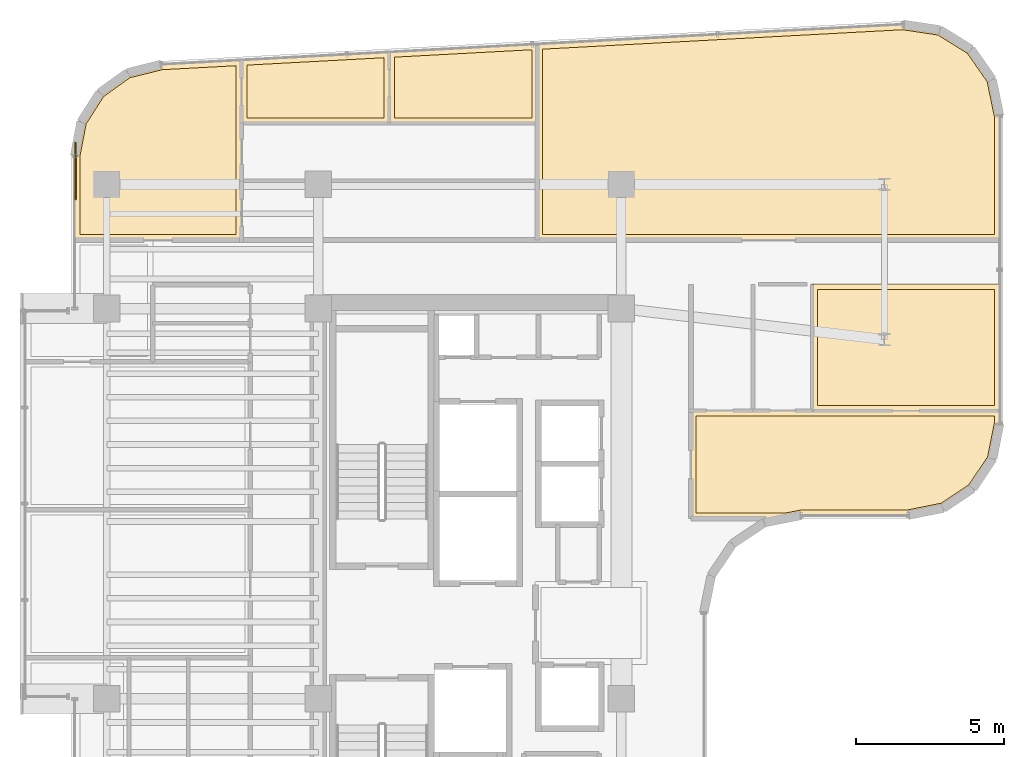
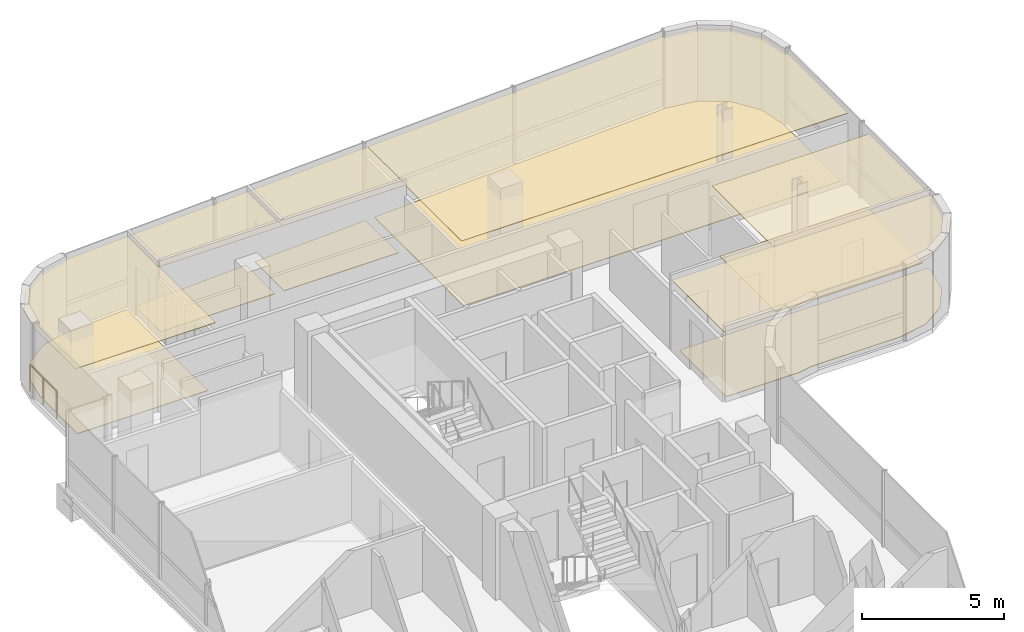
# One storey, part 22 of 22: 12 coverings, 1 railing.
"""IFC4 building model written with IfcOpenShell, lengths in metres."""

import ifcopenshell
import ifcopenshell.guid

model = None  # the IFC model being written
_history = None  # IfcOwnerHistory: only IFC2X3 demands one
_inside = {}  # id of a spatial element -> (the spatial element, [elements in it])
_under = {}  # id of a project, library or spatial element -> (it, [spatial elements below it])
_declared = {}  # id of a project -> (the project, [libraries it declares])
_typed = {}  # id of a type object -> (the type object, [elements of that type])
_made_of = {}  # id of a material, layer set ... -> (it, [elements and type objects made of it])


def new_model(schema):
    """Start an empty IFC model of exactly this schema.

    Asked for "IFC4X3", IfcOpenShell would pick the latest addendum, in which some entities
    have other attributes; the version numbers below select the first issue.
    IFC2X3 requires an IfcOwnerHistory on every rooted entity: one is made here for all.
    """
    global model, _history
    if schema == "IFC4X3":
        model = ifcopenshell.file(schema_version=(4, 3, 0, 0))
    else:
        model = ifcopenshell.file(schema=schema)
    _inside.clear()
    _under.clear()
    _declared.clear()
    _typed.clear()
    _made_of.clear()
    _history = None
    if model.schema == "IFC2X3":
        org = make("IfcOrganization", Name="unknown")
        user = make(
            "IfcPersonAndOrganization",
            ThePerson=make("IfcPerson", FamilyName="unknown"),
            TheOrganization=org,
        )
        app = make(
            "IfcApplication",
            ApplicationDeveloper=org,
            Version="unknown",
            ApplicationFullName="unknown",
            ApplicationIdentifier="unknown",
        )
        _history = make(
            "IfcOwnerHistory",
            OwningUser=user,
            OwningApplication=app,
            ChangeAction="ADDED",
            CreationDate=0,
        )
    return model


def make(cls, **values):
    """One entity of the class cls with the attributes given. An attribute that is None is left unset."""
    return model.create_entity(
        cls, **{name: value for name, value in values.items() if value is not None}
    )


def rooted(cls, **values):
    """An entity with a GlobalId (a new one), such as an element, a storey or a relation."""
    return make(cls, GlobalId=ifcopenshell.guid.new(), OwnerHistory=_history, **values)


def si_unit(unit_type, name, prefix=None):
    """IfcSIUnit, for example si_unit("LENGTHUNIT", "METRE", prefix="MILLI")."""
    return make("IfcSIUnit", UnitType=unit_type, Prefix=prefix, Name=name)


def assignment(units):
    """IfcUnitAssignment: the units of a project."""
    return None if units is None else make("IfcUnitAssignment", Units=units)


def point(xyz):
    """IfcCartesianPoint."""
    return None if xyz is None else make("IfcCartesianPoint", Coordinates=xyz)


def direction(xyz):
    """IfcDirection."""
    return None if xyz is None else make("IfcDirection", DirectionRatios=xyz)


def frame(location, z_axis=None, x_axis=None):
    """IfcAxis2Placement3D, a coordinate frame: its origin and axes. An axis left out is left unset."""
    return make(
        "IfcAxis2Placement3D",
        Location=point(location),
        Axis=direction(z_axis),
        RefDirection=direction(x_axis),
    )


def frame_2d(location, x_axis=None):
    """IfcAxis2Placement2D, a coordinate frame in the plane: its origin and x axis."""
    return make(
        "IfcAxis2Placement2D", Location=point(location), RefDirection=direction(x_axis)
    )


def origin():
    """The frame at (0, 0, 0) with its axes left unset."""
    return frame((0.0, 0.0, 0.0))


def origin_2d():
    """The frame at (0, 0) in the plane with its x axis left unset."""
    return frame_2d((0.0, 0.0))


def place(relative_to, where):
    """IfcLocalPlacement: puts the frame where relative to a parent placement (None: the world)."""
    return make(
        "IfcLocalPlacement", PlacementRelTo=relative_to, RelativePlacement=where
    )


def context(
    kind, dimensions, precision=None, world=None, true_north=None, identifier=None
):
    """IfcGeometricRepresentationContext, for example the 3D "Model" context."""
    return make(
        "IfcGeometricRepresentationContext",
        ContextIdentifier=identifier,
        ContextType=kind,
        CoordinateSpaceDimension=dimensions,
        Precision=precision,
        WorldCoordinateSystem=world,
        TrueNorth=true_north,
    )


def subcontext(parent, identifier, kind, view, scale=None):
    """IfcGeometricRepresentationSubContext, for example "Body" below "Model"."""
    return make(
        "IfcGeometricRepresentationSubContext",
        ContextIdentifier=identifier,
        ContextType=kind,
        ParentContext=parent,
        TargetScale=scale,
        TargetView=view,
    )


def project(units=None, contexts=None):
    """IfcProject with its units and contexts."""
    return rooted(
        "IfcProject",
        Name="project",
        RepresentationContexts=contexts,
        UnitsInContext=assignment(units),
    )


def spatial(cls, under=None, at=None, **own):
    """A site, building, storey or space (cls), placed at a placement, below another one or the project."""
    s = rooted(cls, ObjectPlacement=at, **own)
    if under is not None:
        _under.setdefault(under.id(), (under, []))[1].append(s)
    return s


def polyline(points):
    """IfcPolyline through the points."""
    return make("IfcPolyline", Points=[point(p) for p in points])


def profile(cls, at=None, kind="AREA", **sizes):
    """A parametric profile (cls). Its sizes go by their IFC names, for example OverallWidth=200.0."""
    return make(cls, ProfileType=kind, Position=at, **sizes)


def circle(**sizes):
    """IfcCircleProfileDef."""
    return profile("IfcCircleProfileDef", **sizes)


def outline(outer, holes=None, kind="AREA"):
    """IfcArbitraryClosedProfileDef: a profile drawn as a closed curve; with holes, ...WithVoids."""
    if holes is None:
        return make("IfcArbitraryClosedProfileDef", ProfileType=kind, OuterCurve=outer)
    return make(
        "IfcArbitraryProfileDefWithVoids",
        ProfileType=kind,
        OuterCurve=outer,
        InnerCurves=holes,
    )


def extrude(swept, where, along, depth):
    """IfcExtrudedAreaSolid: the profile swept, set in the frame where, extruded along a direction by depth."""
    return make(
        "IfcExtrudedAreaSolid",
        SweptArea=swept,
        Position=where,
        ExtrudedDirection=direction(along),
        Depth=depth,
    )


def shape(context_of_items, identifier, shape_type, items):
    """IfcShapeRepresentation: the items that make up one representation, for example the "Body"."""
    return make(
        "IfcShapeRepresentation",
        ContextOfItems=context_of_items,
        RepresentationIdentifier=identifier,
        RepresentationType=shape_type,
        Items=items,
    )


def material(Name=None, Category=None):
    """IfcMaterial."""
    return make("IfcMaterial", Name=Name, Category=Category)


def layer(
    of_material, thickness, ventilated=None, Name=None, Category=None, Priority=None
):
    """IfcMaterialLayer: one layer of a wall or slab, of a material (None: an air gap)."""
    return make(
        "IfcMaterialLayer",
        Material=of_material,
        LayerThickness=thickness,
        IsVentilated=ventilated,
        Name=Name,
        Category=Category,
        Priority=Priority,
    )


def layer_set(layers, Name=None):
    """IfcMaterialLayerSet."""
    return make("IfcMaterialLayerSet", MaterialLayers=layers, LayerSetName=Name)


def made_of(thing, what):
    """Note that an element or type object is made of a material, layer set ...; save() writes the relation."""
    if what is not None:
        _made_of.setdefault(what.id(), (what, []))[1].append(thing)
    return thing


def type_object(cls, material=None, **own):
    """A type object (cls), such as IfcWallType, which elements share."""
    return made_of(rooted(cls, **own), material)


def element(
    cls,
    number,
    at=None,
    inside=None,
    cuts=None,
    type_object=None,
    material=None,
    context=None,
    identifier="Body",
    shape_type=None,
    held_by="IfcProductDefinitionShape",
    body=None,
    shapes=None,
    **own,
):
    """One element of the class cls, such as IfcWall. Its Tag is "e" and its number.

    at: its placement. inside: the storey or other place that contains it. cuts: it is an
    opening in that element (IfcRelVoidsElement). A single representation is given by context,
    identifier, shape_type and body (its items); several are given by shapes. held_by: the class
    of the entity that holds the representations. save() writes the other relations.
    """
    e = rooted(cls, Tag="e%d" % number, ObjectPlacement=at, **own)
    if body is not None:
        shapes = [shape(context, identifier, shape_type, body)]
    if shapes is not None:
        e.Representation = make(held_by, Representations=shapes)
    if inside is not None:
        _inside.setdefault(inside.id(), (inside, []))[1].append(e)
    if cuts is not None:
        rooted(
            "IfcRelVoidsElement", RelatingBuildingElement=cuts, RelatedOpeningElement=e
        )
    if type_object is not None:
        _typed.setdefault(type_object.id(), (type_object, []))[1].append(e)
    return made_of(e, material)


def aggregate(whole, parts):
    """IfcRelAggregates: a whole, such as a stair, and the parts it consists of."""
    return rooted("IfcRelAggregates", RelatingObject=whole, RelatedObjects=parts)


def save(model, path):
    """Write the relations noted so far, then the file.

    IfcRelAggregates (storeys below a building ...), IfcRelContainedInSpatialStructure (elements
    in a storey), IfcRelDefinesByType, IfcRelAssociatesMaterial and IfcRelDeclares: one each for
    every whole, place, type object, material and project.
    """
    for whole, parts in _under.values():
        aggregate(whole, parts)
    for where, things in _inside.values():
        rooted(
            "IfcRelContainedInSpatialStructure",
            RelatedElements=things,
            RelatingStructure=where,
        )
    for kind, things in _typed.values():
        rooted("IfcRelDefinesByType", RelatedObjects=things, RelatingType=kind)
    for what, things in _made_of.values():
        rooted("IfcRelAssociatesMaterial", RelatedObjects=things, RelatingMaterial=what)
    for by, libraries in _declared.values():
        rooted("IfcRelDeclares", RelatingContext=by, RelatedDefinitions=libraries)
    model.write(path)


model = new_model("IFC4")

# Units and contexts
model_context = context("Model", 3, precision=1e-05, world=origin(), true_north=direction((0.0, 1.0)))
body_context = subcontext(model_context, "Body", "Model", "MODEL_VIEW")
ifc_project = project(units=[si_unit("LENGTHUNIT", "METRE"), si_unit("AREAUNIT", "SQUARE_METRE"), si_unit("VOLUMEUNIT", "CUBIC_METRE"), si_unit("PLANEANGLEUNIT", "RADIAN"), si_unit("MASSUNIT", "GRAM", prefix="KILO")], contexts=[model_context])

# Site, building, storey
site_placement = place(None, origin())
site = spatial("IfcSite", under=ifc_project, at=site_placement, CompositionType="ELEMENT")
building_placement = place(site_placement, origin())
building = spatial("IfcBuilding", under=site, at=building_placement, Name="Valdorenza Pilgrim Sanctuary Tower", CompositionType="ELEMENT")
storey_placement = place(building_placement, frame((0.0, 0.0, 209.0)))
storey = spatial("IfcBuildingStorey", under=building, at=storey_placement, Name="L53", CompositionType="ELEMENT", Elevation=209.0)

# Coverings
ifc_material_1 = material(Name="Micro-perforated acoustic mineral ceiling tile", Category="gypsum")
ifc_layer_1 = layer(ifc_material_1, 0.02490234375, Name="Micro-perforated acoustic mineral ceiling tile")
ifc_layer_set_1 = layer_set([ifc_layer_1], Name="Micro-perforated acoustic mineral ceiling tile")
covering_type_1 = type_object("IfcCoveringType", Name="COV-CLG-ACU", PredefinedType="CEILING", material=ifc_layer_set_1)
covering_1_placement = place(storey_placement, frame((0.0, 0.0, 2.9599609375)))
element("IfcCovering", 1, at=covering_1_placement, inside=storey, type_object=covering_type_1, Name="L53 North Grand Residence L53-N1 Bedroom 1 Acoustic Ceiling", PredefinedType="CEILING", context=body_context, shape_type="SweptSolid", body=[
    extrude(outline(polyline([(-25.24560546875, 16.85498046875), (-25.2470703125, 16.85498046875), (-25.24853515625, 16.855224609375), (-25.25, 16.855712890625), (-25.251220703125, 16.856201171875), (-25.252685546875, 16.856689453125), (-25.25390625, 16.857421875), (-25.255126953125, 16.8583984375), (-25.256103515625, 16.859375), (-25.257080078125, 16.860595703125), (-25.258056640625, 16.86181640625), (-25.2587890625, 16.86279296875), (-25.259521484375, 16.8642578125), (-25.260009765625, 16.865478515625), (-25.26025390625, 16.8671875), (-25.260498046875, 16.868408203125), (-25.260498046875, 16.8701171875), (-25.260498046875, 19.00048828125), (-25.260498046875, 19.001953125), (-25.26025390625, 19.00341796875), (-25.260009765625, 19.0048828125), (-25.259521484375, 19.00634765625), (-25.2587890625, 19.0078125), (-25.2578125, 19.009033203125), (-25.257080078125, 19.01025390625), (-25.256103515625, 19.01123046875), (-25.2548828125, 19.01220703125), (-25.253662109375, 19.01318359375), (-25.252197265625, 19.013916015625), (-25.250732421875, 19.014404296875), (-25.24951171875, 19.014892578125), (-25.247802734375, 19.01513671875), (-25.246337890625, 19.015380859375), (-20.24853515625, 19.28515625), (-20.247314453125, 19.28515625), (-20.24560546875, 19.284912109375), (-20.244384765625, 19.28466796875), (-20.242919921875, 19.2841796875), (-20.24169921875, 19.28369140625), (-20.240478515625, 19.283203125), (-20.239013671875, 19.282470703125), (-20.238037109375, 19.281494140625), (-20.237060546875, 19.280517578125), (-20.236083984375, 19.279296875), (-20.235107421875, 19.2783203125), (-20.234619140625, 19.277099609375), (-20.23388671875, 19.275634765625), (-20.2333984375, 19.2744140625), (-20.233154296875, 19.27294921875), (-20.23291015625, 19.271484375), (-20.23291015625, 19.27001953125), (-20.23291015625, 16.8701171875), (-20.23291015625, 16.868408203125), (-20.233154296875, 16.8671875), (-20.2333984375, 16.865478515625), (-20.23388671875, 16.8642578125), (-20.234619140625, 16.86279296875), (-20.2353515625, 16.86181640625), (-20.236083984375, 16.860595703125), (-20.2373046875, 16.859375), (-20.23828125, 16.8583984375), (-20.239501953125, 16.857421875), (-20.24072265625, 16.856689453125), (-20.2421875, 16.856201171875), (-20.243408203125, 16.855712890625), (-20.244873046875, 16.855224609375), (-20.246337890625, 16.85498046875), (-20.247802734375, 16.85498046875), (-25.24560546875, 16.85498046875)])), origin(), (0.0, 0.0, 1.0), 0.025146484375),
])
covering_2_placement = place(storey_placement, frame((0.0, 0.0, 2.9599609375)))
element("IfcCovering", 2, at=covering_2_placement, inside=storey, type_object=covering_type_1, Name="L53 North Grand Residence L53-N1 Bedroom 2 Acoustic Ceiling", PredefinedType="CEILING", context=body_context, shape_type="SweptSolid", body=[
    extrude(outline(polyline([(-20.2607421875, 19.27001953125), (-20.2607421875, 19.27099609375), (-20.260498046875, 19.2724609375), (-20.260498046875, 19.27392578125), (-20.260009765625, 19.275390625), (-20.259521484375, 19.276611328125), (-20.2587890625, 19.27783203125), (-20.2578125, 19.279052734375), (-20.2568359375, 19.2802734375), (-20.255859375, 19.28125), (-20.2548828125, 19.2822265625), (-20.253662109375, 19.283203125), (-20.252197265625, 19.28369140625), (-20.2509765625, 19.2841796875), (-20.24951171875, 19.284912109375), (-20.248046875, 19.28515625), (-20.24658203125, 19.28515625), (-15.251708984375, 19.5546875), (-15.250732421875, 19.5546875), (-15.25, 19.5546875), (-15.24853515625, 19.5546875), (-15.2470703125, 19.554443359375), (-15.24560546875, 19.55419921875), (-15.244384765625, 19.5537109375), (-15.242919921875, 19.552978515625), (-15.24169921875, 19.55224609375), (-15.240478515625, 19.551513671875), (-15.239501953125, 19.55029296875), (-15.23828125, 19.54931640625), (-15.237548828125, 19.548095703125), (-15.23681640625, 19.546875), (-15.236083984375, 19.54541015625), (-15.235595703125, 19.544189453125), (-15.2353515625, 19.542724609375), (-15.235107421875, 19.541259765625), (-15.235107421875, 19.539794921875), (-15.235107421875, 16.8701171875), (-15.235107421875, 16.868408203125), (-15.2353515625, 16.8671875), (-15.235595703125, 16.865478515625), (-15.236083984375, 16.8642578125), (-15.23681640625, 16.86279296875), (-15.237548828125, 16.86181640625), (-15.23828125, 16.860595703125), (-15.239501953125, 16.859375), (-15.240478515625, 16.8583984375), (-15.24169921875, 16.857421875), (-15.242919921875, 16.856689453125), (-15.244384765625, 16.856201171875), (-15.24560546875, 16.855712890625), (-15.2470703125, 16.855224609375), (-15.24853515625, 16.85498046875), (-15.25, 16.85498046875), (-20.245849609375, 16.85498046875), (-20.247314453125, 16.85498046875), (-20.248779296875, 16.855224609375), (-20.250244140625, 16.855712890625), (-20.25146484375, 16.856201171875), (-20.2529296875, 16.856689453125), (-20.254150390625, 16.857421875), (-20.25537109375, 16.8583984375), (-20.25634765625, 16.859375), (-20.25732421875, 16.860595703125), (-20.25830078125, 16.86181640625), (-20.259033203125, 16.86279296875), (-20.259765625, 16.8642578125), (-20.26025390625, 16.865478515625), (-20.260498046875, 16.8671875), (-20.2607421875, 16.868408203125), (-20.2607421875, 16.8701171875), (-20.2607421875, 19.27001953125), (-20.2607421875, 19.27001953125)])), origin(), (0.0, 0.0, 1.0), 0.025146484375),
])
covering_3_placement = place(storey_placement, frame((0.0, 0.0, 2.9599609375)))
element("IfcCovering", 3, at=covering_3_placement, inside=storey, type_object=covering_type_1, Name="L53 North Grand Residence L53-N1 Living Room Acoustic Ceiling", PredefinedType="CEILING", context=body_context, shape_type="SweptSolid", body=[
    extrude(outline(polyline([(-28.25537109375, 12.906982421875), (-30.889892578125, 12.906982421875), (-30.8916015625, 12.906982421875), (-30.892822265625, 12.9072265625), (-30.894287109375, 12.90771484375), (-30.895751953125, 12.908203125), (-30.897216796875, 12.90869140625), (-30.898193359375, 12.909423828125), (-30.8994140625, 12.910400390625), (-30.900634765625, 12.911376953125), (-30.901611328125, 12.91259765625), (-30.902587890625, 12.913818359375), (-30.9033203125, 12.914794921875), (-30.90380859375, 12.916259765625), (-30.904296875, 12.91748046875), (-30.90478515625, 12.919189453125), (-30.90478515625, 12.92041015625), (-30.905029296875, 12.922119140625), (-30.905029296875, 15.757568359375), (-30.90478515625, 15.759033203125), (-30.90478515625, 15.760498046875), (-30.683349609375, 16.9140625), (-30.68310546875, 16.915283203125), (-30.6826171875, 16.916748046875), (-30.681884765625, 16.918212890625), (-30.681396484375, 16.919189453125), (-30.05419921875, 17.89990234375), (-30.053466796875, 17.901123046875), (-30.052490234375, 17.90234375), (-30.051513671875, 17.9033203125), (-30.05029296875, 17.904052734375), (-29.104736328125, 18.5830078125), (-29.103515625, 18.583740234375), (-29.102294921875, 18.58447265625), (-29.10107421875, 18.5849609375), (-29.099609375, 18.58544921875), (-27.959716796875, 18.86865234375), (-27.958251953125, 18.868896484375), (-27.956787109375, 18.869140625), (-25.248291015625, 19.015380859375), (-25.2470703125, 19.015380859375), (-25.24560546875, 19.01513671875), (-25.244140625, 19.014892578125), (-25.242919921875, 19.014404296875), (-25.241455078125, 19.013916015625), (-25.240234375, 19.01318359375), (-25.239013671875, 19.012451171875), (-25.23779296875, 19.01171875), (-25.23681640625, 19.0107421875), (-25.23583984375, 19.009521484375), (-25.235107421875, 19.00830078125), (-25.234375, 19.007080078125), (-25.233642578125, 19.005859375), (-25.233154296875, 19.00439453125), (-25.23291015625, 19.003173828125), (-25.232666015625, 19.001708984375), (-25.232666015625, 19.000244140625), (-25.232666015625, 16.87548828125), (-25.232421875, 16.875), (-25.231689453125, 16.87353515625), (-25.231201171875, 16.872314453125), (-25.23095703125, 16.870849609375), (-25.230712890625, 16.869384765625), (-25.230712890625, 16.867919921875), (-25.230712890625, 12.919921875), (-25.230712890625, 12.91845703125), (-25.23095703125, 12.9169921875), (-25.231201171875, 12.91552734375), (-25.231689453125, 12.914306640625), (-25.232421875, 12.912841796875), (-25.233154296875, 12.91162109375), (-25.23388671875, 12.910400390625), (-25.235107421875, 12.909423828125), (-25.236083984375, 12.908447265625), (-25.2373046875, 12.907470703125), (-25.238525390625, 12.90673828125), (-25.239990234375, 12.906005859375), (-25.2412109375, 12.905517578125), (-25.24267578125, 12.9052734375), (-25.244140625, 12.905029296875), (-25.24560546875, 12.905029296875), (-28.248046875, 12.905029296875), (-28.24951171875, 12.905029296875), (-28.250732421875, 12.9052734375), (-28.252197265625, 12.905517578125), (-28.253662109375, 12.906005859375), (-28.2548828125, 12.90673828125), (-28.25537109375, 12.906982421875)])), origin(), (0.0, 0.0, 1.0), 0.025146484375),
])
covering_4_placement = place(storey_placement, frame((0.0, 0.0, 2.9599609375)))
element("IfcCovering", 4, at=covering_4_placement, inside=storey, type_object=covering_type_1, Name="L53 Sacred Archive Reading Library L53-N2 Acoustic Ceiling", PredefinedType="CEILING", context=body_context, shape_type="SweptSolid", body=[
    extrude(outline(polyline([(-15.262939453125, 14.918212890625), (-15.26318359375, 14.9189453125), (-15.26318359375, 14.92041015625), (-15.26318359375, 14.922119140625), (-15.26318359375, 14.923583984375), (-15.262939453125, 14.923828125), (-15.262939453125, 16.8662109375), (-15.26318359375, 16.866943359375), (-15.26318359375, 16.868408203125), (-15.26318359375, 16.8701171875), (-15.26318359375, 16.87158203125), (-15.262939453125, 16.871826171875), (-15.262939453125, 19.539794921875), (-15.262939453125, 19.539794921875), (-15.262939453125, 19.540771484375), (-15.2626953125, 19.5419921875), (-15.2626953125, 19.543701171875), (-15.26220703125, 19.544921875), (-15.26171875, 19.54638671875), (-15.260986328125, 19.547607421875), (-15.260009765625, 19.548828125), (-15.259033203125, 19.550048828125), (-15.258056640625, 19.551025390625), (-15.257080078125, 19.552001953125), (-15.255859375, 19.552734375), (-15.25439453125, 19.553466796875), (-15.253173828125, 19.55419921875), (-15.251708984375, 19.554443359375), (-15.250244140625, 19.5546875), (-15.248779296875, 19.554931640625), (-2.87841796875, 20.222412109375), (-2.876953125, 20.222412109375), (-2.87548828125, 20.222412109375), (-1.63232421875, 20.035400390625), (-1.630859375, 20.03515625), (-1.62939453125, 20.034912109375), (-1.628173828125, 20.0341796875), (-1.626708984375, 20.033447265625), (-0.568359375, 19.376708984375), (-0.567138671875, 19.3759765625), (-0.56591796875, 19.375), (-0.56494140625, 19.373779296875), (-0.56396484375, 19.372802734375), (0.148681640625, 18.351318359375), (0.1494140625, 18.349853515625), (0.150146484375, 18.3486328125), (0.150634765625, 18.34716796875), (0.151123046875, 18.345703125), (0.40478515625, 17.114501953125), (0.40478515625, 17.11279296875), (0.405029296875, 17.111328125), (0.405029296875, 12.919921875), (0.40478515625, 12.91845703125), (0.40478515625, 12.9169921875), (0.404296875, 12.91552734375), (0.40380859375, 12.914306640625), (0.4033203125, 12.912841796875), (0.402587890625, 12.91162109375), (0.401611328125, 12.910400390625), (0.400634765625, 12.909423828125), (0.3994140625, 12.908447265625), (0.398193359375, 12.907470703125), (0.397216796875, 12.90673828125), (0.395751953125, 12.906005859375), (0.394287109375, 12.905517578125), (0.392822265625, 12.9052734375), (0.3916015625, 12.905029296875), (0.389892578125, 12.905029296875), (-15.248046875, 12.905029296875), (-15.24951171875, 12.905029296875), (-15.2509765625, 12.9052734375), (-15.25244140625, 12.905517578125), (-15.253662109375, 12.906005859375), (-15.255126953125, 12.90673828125), (-15.25634765625, 12.907470703125), (-15.257568359375, 12.908447265625), (-15.258544921875, 12.909423828125), (-15.259521484375, 12.910400390625), (-15.260498046875, 12.91162109375), (-15.26123046875, 12.912841796875), (-15.261962890625, 12.914306640625), (-15.262451171875, 12.91552734375), (-15.2626953125, 12.9169921875), (-15.262939453125, 12.91845703125), (-15.262939453125, 12.919921875), (-15.262939453125, 14.918212890625)])), origin(), (0.0, 0.0, 1.0), 0.025146484375),
])
covering_5_placement = place(storey_placement, frame((0.0, 0.0, 2.9599609375)))
element("IfcCovering", 5, at=covering_5_placement, inside=storey, type_object=covering_type_1, Name="L53 East Sanctuary Apartment L53-E1 Bedroom Acoustic Ceiling", PredefinedType="CEILING", context=body_context, shape_type="SweptSolid", body=[
    extrude(outline(polyline([(-5.965087890625, 11.419921875), (-5.96484375, 11.42138671875), (-5.964599609375, 11.4228515625), (-5.96435546875, 11.42431640625), (-5.9638671875, 11.42578125), (-5.963134765625, 11.427001953125), (-5.96240234375, 11.42822265625), (-5.961669921875, 11.429443359375), (-5.960693359375, 11.4306640625), (-5.95947265625, 11.431640625), (-5.958251953125, 11.4326171875), (-5.95703125, 11.43310546875), (-5.955810546875, 11.433837890625), (-5.954345703125, 11.434326171875), (-5.952880859375, 11.434814453125), (-5.951416015625, 11.434814453125), (-5.949951171875, 11.43505859375), (0.389892578125, 11.43505859375), (0.3916015625, 11.434814453125), (0.392822265625, 11.434814453125), (0.394287109375, 11.434326171875), (0.395751953125, 11.433837890625), (0.397216796875, 11.43310546875), (0.398193359375, 11.4326171875), (0.3994140625, 11.431640625), (0.400634765625, 11.4306640625), (0.401611328125, 11.429443359375), (0.402587890625, 11.42822265625), (0.4033203125, 11.427001953125), (0.40380859375, 11.42578125), (0.404296875, 11.42431640625), (0.40478515625, 11.4228515625), (0.40478515625, 11.42138671875), (0.405029296875, 11.419921875), (0.405029296875, 7.143310546875), (0.40478515625, 7.1416015625), (0.40478515625, 7.140380859375), (0.404296875, 7.138916015625), (0.40380859375, 7.137451171875), (0.4033203125, 7.135986328125), (0.402587890625, 7.135009765625), (0.401611328125, 7.1337890625), (0.400634765625, 7.132568359375), (0.3994140625, 7.131591796875), (0.398193359375, 7.130615234375), (0.397216796875, 7.1298828125), (0.395751953125, 7.12939453125), (0.394287109375, 7.12890625), (0.392822265625, 7.12841796875), (0.3916015625, 7.12841796875), (0.389892578125, 7.128173828125), (-5.949951171875, 7.128173828125), (-5.951416015625, 7.12841796875), (-5.952880859375, 7.12841796875), (-5.954345703125, 7.12890625), (-5.955810546875, 7.12939453125), (-5.95703125, 7.1298828125), (-5.958251953125, 7.130615234375), (-5.95947265625, 7.131591796875), (-5.960693359375, 7.132568359375), (-5.961669921875, 7.1337890625), (-5.96240234375, 7.135009765625), (-5.963134765625, 7.135986328125), (-5.9638671875, 7.137451171875), (-5.96435546875, 7.138916015625), (-5.964599609375, 7.140380859375), (-5.96484375, 7.1416015625), (-5.965087890625, 7.143310546875), (-5.965087890625, 11.419921875)])), origin(), (0.0, 0.0, 1.0), 0.025146484375),
])
covering_6_placement = place(storey_placement, frame((0.0, 0.0, 2.9599609375)))
element("IfcCovering", 6, at=covering_6_placement, inside=storey, type_object=covering_type_1, Name="L53 East Sanctuary Apartment L53-E1 Living Room Acoustic Ceiling", PredefinedType="CEILING", context=body_context, shape_type="SweptSolid", body=[
    extrude(outline(polyline([(-10.06494140625, 7.143310546875), (-10.06494140625, 7.144775390625), (-10.064697265625, 7.14599609375), (-10.064453125, 7.147705078125), (-10.06396484375, 7.14892578125), (-10.063232421875, 7.150390625), (-10.0625, 7.151611328125), (-10.0615234375, 7.152587890625), (-10.060546875, 7.15380859375), (-10.0595703125, 7.15478515625), (-10.058349609375, 7.15576171875), (-10.05712890625, 7.156494140625), (-10.0556640625, 7.156982421875), (-10.054443359375, 7.15771484375), (-10.052978515625, 7.157958984375), (-10.051513671875, 7.158203125), (-10.050048828125, 7.158203125), (-5.951904296875, 7.158203125), (-5.95068359375, 7.158203125), (-5.94921875, 7.157958984375), (-5.94775390625, 7.15771484375), (-5.9462890625, 7.156982421875), (-5.945068359375, 7.156494140625), (-5.944580078125, 7.15625), (0.389892578125, 7.15625), (0.3916015625, 7.156005859375), (0.392822265625, 7.156005859375), (0.394287109375, 7.155517578125), (0.395751953125, 7.155029296875), (0.397216796875, 7.154296875), (0.398193359375, 7.15380859375), (0.3994140625, 7.15283203125), (0.400634765625, 7.15185546875), (0.401611328125, 7.150634765625), (0.402587890625, 7.1494140625), (0.4033203125, 7.148193359375), (0.40380859375, 7.14697265625), (0.404296875, 7.1455078125), (0.40478515625, 7.14404296875), (0.40478515625, 7.142578125), (0.405029296875, 7.14111328125), (0.405029296875, 6.710693359375), (0.40478515625, 6.70947265625), (0.40478515625, 6.7080078125), (0.16748046875, 5.515380859375), (0.1669921875, 5.513916015625), (0.16650390625, 5.5126953125), (0.166015625, 5.51123046875), (0.165283203125, 5.510009765625), (-0.504150390625, 4.50830078125), (-0.5048828125, 4.507080078125), (-0.506103515625, 4.506103515625), (-0.507080078125, 4.5048828125), (-0.50830078125, 4.504150390625), (-1.510009765625, 3.834716796875), (-1.51123046875, 3.833984375), (-1.5126953125, 3.83349609375), (-1.513916015625, 3.8330078125), (-1.515380859375, 3.83251953125), (-2.7080078125, 3.59521484375), (-2.70947265625, 3.59521484375), (-2.710693359375, 3.594970703125), (-6.299560546875, 3.594970703125), (-6.309326171875, 3.594482421875), (-6.31884765625, 3.593017578125), (-6.86083984375, 3.4853515625), (-6.8623046875, 3.485107421875), (-6.86376953125, 3.485107421875), (-10.050048828125, 3.485107421875), (-10.051513671875, 3.485107421875), (-10.052978515625, 3.4853515625), (-10.054443359375, 3.485595703125), (-10.0556640625, 3.486083984375), (-10.05712890625, 3.48681640625), (-10.058349609375, 3.487548828125), (-10.0595703125, 3.48828125), (-10.060546875, 3.489501953125), (-10.0615234375, 3.490478515625), (-10.0625, 3.49169921875), (-10.063232421875, 3.492919921875), (-10.06396484375, 3.494384765625), (-10.064453125, 3.49560546875), (-10.064697265625, 3.4970703125), (-10.06494140625, 3.49853515625), (-10.06494140625, 3.5), (-10.06494140625, 7.143310546875)])), origin(), (0.0, 0.0, 1.0), 0.025146484375),
])
ifc_material_2 = material(Name="Engineered European oak timber flooring", Category="wood")
ifc_layer_2 = layer(ifc_material_2, 0.02197265625, Name="Engineered European oak timber flooring")
ifc_layer_set_2 = layer_set([ifc_layer_2], Name="Engineered European oak timber flooring")
covering_type_2 = type_object("IfcCoveringType", Name="COV-FLR-OAK", PredefinedType="FLOORING", material=ifc_layer_set_2)
covering_7_placement = place(storey_placement, origin())
element("IfcCovering", 7, at=covering_7_placement, inside=storey, type_object=covering_type_2, Name="L53 North Grand Residence L53-N1 Bedroom 1 Flooring", PredefinedType="FLOORING", context=body_context, shape_type="SweptSolid", body=[
    extrude(outline(polyline([(-25.065673828125, 17.050048828125), (-25.065673828125, 18.829833984375), (-20.427734375, 19.080078125), (-20.427734375, 17.050048828125), (-25.065673828125, 17.050048828125)])), origin(), (0.0, 0.0, 1.0), 0.02490234375),
])
covering_8_placement = place(storey_placement, origin())
element("IfcCovering", 8, at=covering_8_placement, inside=storey, type_object=covering_type_2, Name="L53 North Grand Residence L53-N1 Bedroom 2 Flooring", PredefinedType="FLOORING", context=body_context, shape_type="SweptSolid", body=[
    extrude(outline(polyline([(-15.43017578125, 17.050048828125), (-20.06591796875, 17.050048828125), (-20.06591796875, 19.099609375), (-15.430908203125, 19.349853515625), (-15.43017578125, 17.050048828125)])), origin(), (0.0, 0.0, 1.0), 0.02490234375),
])
covering_9_placement = place(storey_placement, origin())
element("IfcCovering", 9, at=covering_9_placement, inside=storey, type_object=covering_type_2, Name="L53 North Grand Residence L53-N1 Living Room Flooring", PredefinedType="FLOORING", context=body_context, shape_type="SweptSolid", body=[
    extrude(outline(polyline([(-28.22314453125, 13.10009765625), (-28.22314453125, 13.10009765625), (-28.223388671875, 13.10009765625), (-28.240966796875, 13.101806640625), (-28.2412109375, 13.101806640625), (-28.25, 13.10205078125), (-30.7099609375, 13.10205078125), (-30.7099609375, 15.740478515625), (-30.498291015625, 16.843505859375), (-29.90869140625, 17.765869140625), (-29.019287109375, 18.404541015625), (-27.92919921875, 18.67529296875), (-25.427490234375, 18.810302734375), (-25.427490234375, 16.8701171875), (-25.42578125, 13.10009765625), (-28.22314453125, 13.10009765625)])), origin(), (0.0, 0.0, 1.0), 0.02490234375),
])
covering_10_placement = place(storey_placement, origin())
element("IfcCovering", 10, at=covering_10_placement, inside=storey, type_object=covering_type_2, Name="L53 East Sanctuary Apartment L53-E1 Bedroom Flooring", PredefinedType="FLOORING", context=body_context, shape_type="SweptSolid", body=[
    extrude(outline(polyline([(-5.77001953125, 11.239990234375), (0.2099609375, 11.239990234375), (0.2099609375, 7.3232421875), (-5.77001953125, 7.3232421875), (-5.77001953125, 11.239990234375)])), origin(), (0.0, 0.0, 1.0), 0.02490234375),
])
covering_11_placement = place(storey_placement, origin())
element("IfcCovering", 11, at=covering_11_placement, inside=storey, type_object=covering_type_2, Name="L53 East Sanctuary Apartment L53-E1 Living Room Flooring", PredefinedType="FLOORING", context=body_context, shape_type="SweptSolid", body=[
    extrude(outline(polyline([(-9.8701171875, 6.963134765625), (-5.976806640625, 6.963134765625), (-5.976806640625, 6.963134765625), (-5.9765625, 6.963134765625), (-5.958984375, 6.96142578125), (-5.958740234375, 6.96142578125), (-5.949951171875, 6.961181640625), (0.2099609375, 6.961181640625), (0.2099609375, 6.728515625), (-0.016845703125, 5.588623046875), (-0.646484375, 4.646484375), (-1.588623046875, 4.016845703125), (-2.728515625, 3.7900390625), (-6.300048828125, 3.7900390625), (-6.308837890625, 3.789794921875), (-6.319580078125, 3.789306640625), (-6.337158203125, 3.78759765625), (-6.347900390625, 3.785888671875), (-6.356689453125, 3.784423828125), (-6.881591796875, 3.679931640625), (-9.8701171875, 3.679931640625), (-9.8701171875, 6.963134765625)])), origin(), (0.0, 0.0, 1.0), 0.02490234375),
])
ifc_material_3 = material(Name="Honed travertine stone flooring", Category="masonry")
ifc_layer_3 = layer(ifc_material_3, 0.030029296875, Name="Honed travertine stone flooring")
ifc_layer_set_3 = layer_set([ifc_layer_3], Name="Honed travertine stone flooring")
covering_type_3 = type_object("IfcCoveringType", Name="COV-FLR-TRV", PredefinedType="FLOORING", material=ifc_layer_set_3)
covering_12_placement = place(storey_placement, origin())
element("IfcCovering", 12, at=covering_12_placement, inside=storey, type_object=covering_type_3, Name="L53 Sacred Archive Reading Library L53-N2 Flooring", PredefinedType="FLOORING", context=body_context, shape_type="SweptSolid", body=[
    extrude(outline(polyline([(-15.068115234375, 14.921630859375), (-15.068115234375, 14.922119140625), (-15.068115234375, 16.867919921875), (-15.068115234375, 16.868896484375), (-15.068115234375, 16.86962890625), (-15.068115234375, 16.8701171875), (-15.068115234375, 19.369384765625), (-2.88623046875, 20.02685546875), (-1.697998046875, 19.84814453125), (-0.70263671875, 19.230712890625), (-0.032470703125, 18.27001953125), (0.2099609375, 17.093017578125), (0.2099609375, 13.10009765625), (-15.068115234375, 13.10009765625), (-15.068115234375, 14.919921875), (-15.068115234375, 14.9208984375), (-15.068115234375, 14.921630859375)])), origin(), (0.0, 0.0, 1.0), 0.02490234375),
])

# Railing
ifc_material_4 = material(Name="Stainless steel Grade 316", Category="steel")
railing_type = type_object("IfcRailingType", Name="RLG-GRD-1120", PredefinedType="GUARDRAIL", material=ifc_material_4)
railing_placement = place(storey_placement, frame((-30.860107421875, 14.300048828125, 0.0)))
element("IfcRailing", 13, at=railing_placement, inside=storey, type_object=railing_type, Name="L53 NW Tangent Safety Sill Guard", PredefinedType="GUARDRAIL", context=body_context, shape_type="SweptSolid", body=[
    extrude(circle(Radius=0.02392578125, at=origin_2d()), frame((0.0, 0.0, 1.17578125), z_axis=(0.0, 1.0, 0.0), x_axis=(-1.0, 0.0, 0.0)), (0.0, 0.0, 1.0), 1.89990234375),
    extrude(circle(Radius=0.02099609375, at=origin_2d()), origin(), (0.0, 0.0, 1.0), 1.15185546875),
    extrude(circle(Radius=0.02099609375, at=origin_2d()), frame((0.0, 0.949951171875, 0.0)), (0.0, 0.0, 1.0), 1.15185546875),
    extrude(circle(Radius=0.02099609375, at=origin_2d()), frame((0.0, 1.89990234375, 0.0)), (0.0, 0.0, 1.0), 1.15185546875),
])

save(model, "model.ifc")
